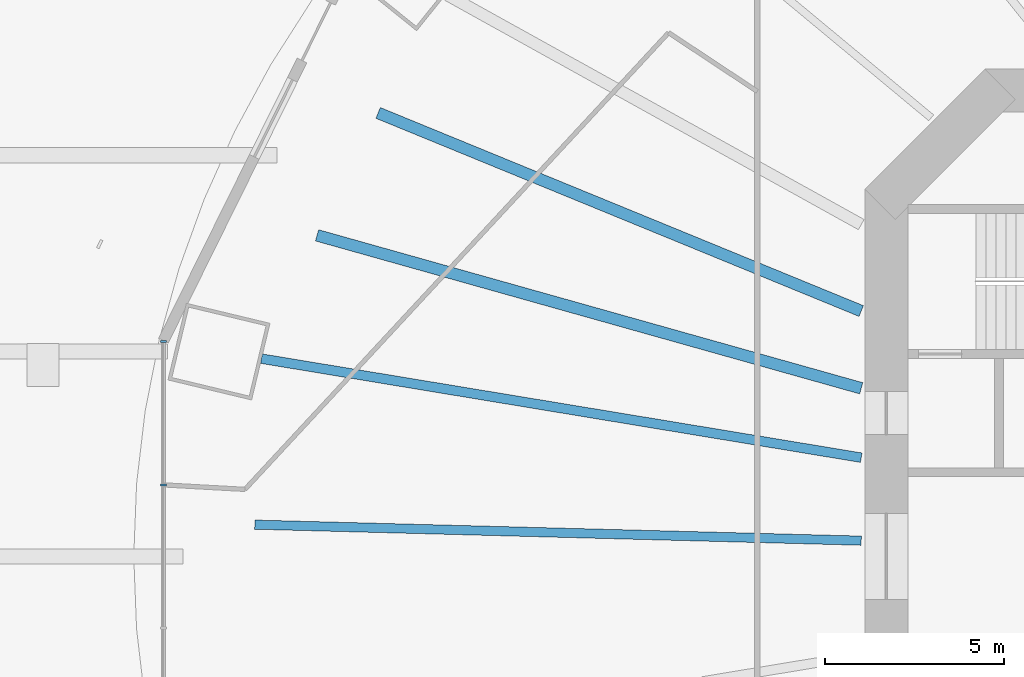
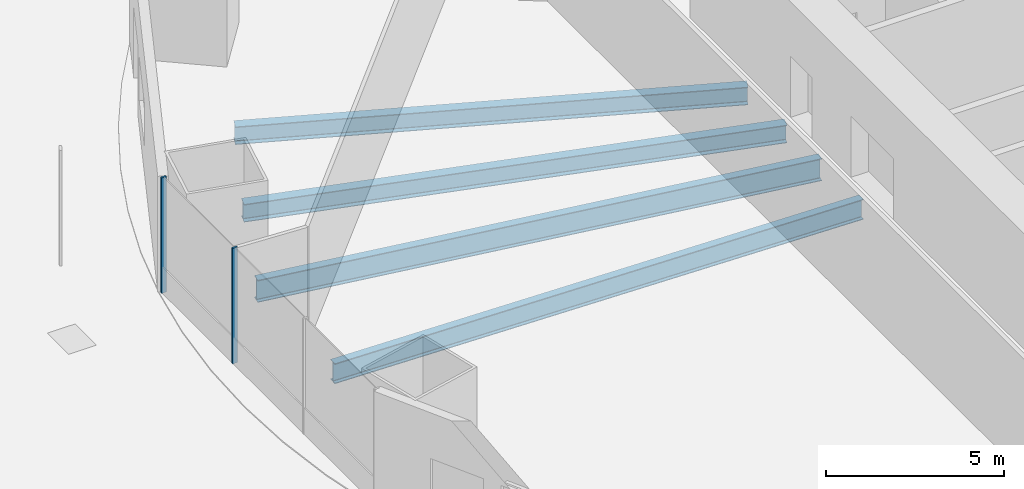
# One storey, part 7 of 27: 4 beams, 2 members, 1 element without a shape of its own.
"""IFC4 building model written with IfcOpenShell, lengths in metres."""

from ifc_helpers import new_model, si_unit, direction, frame, origin, origin_2d, place, context, subcontext, project, spatial, rectangle, i_section, extrude, material, material_profile, profile_set, type_object, element, aggregate, save


model = new_model("IFC4")

# Units and contexts
model_context = context("Model", 3, precision=1e-05, world=origin(), true_north=direction((0.0, 1.0)))
body_context = subcontext(model_context, "Body", "Model", "MODEL_VIEW")
ifc_project = project(units=[si_unit("LENGTHUNIT", "METRE"), si_unit("AREAUNIT", "SQUARE_METRE"), si_unit("VOLUMEUNIT", "CUBIC_METRE"), si_unit("PLANEANGLEUNIT", "RADIAN"), si_unit("MASSUNIT", "GRAM", prefix="KILO")], contexts=[model_context])

# Site, building, storey
site_placement = place(None, origin())
site = spatial("IfcSite", under=ifc_project, at=site_placement, CompositionType="ELEMENT")
building_placement = place(site_placement, origin())
building = spatial("IfcBuilding", under=site, at=building_placement, Name="Marenthal Gate Tower", CompositionType="ELEMENT")
storey_placement = place(building_placement, frame((0.0, 0.0, 33.0)))
storey = spatial("IfcBuildingStorey", under=building, at=storey_placement, Name="L04", CompositionType="ELEMENT", Elevation=33.0)

# Curtain wall, members
ifc_material_1 = material(Name="Aluminium and glass", Category="aluminium")
curtain_wall_type = type_object("IfcCurtainWallType", Name="Curtain wall typical low", PredefinedType="NOTDEFINED", material=ifc_material_1)
curtain_wall_placement = place(storey_placement, origin())
curtain_wall = element("IfcCurtainWall", 1, at=curtain_wall_placement, inside=storey, type_object=curtain_wall_type, Name="Curtain wall L04 bay 8", PredefinedType="NOTDEFINED")
ifc_material_2 = material(Name="Aluminium", Category="aluminium")
ifc_material_profile_1 = material_profile(ifc_material_2, rectangle(XDim=0.159912109375, YDim=0.06005859375, at=origin_2d()), Name="60x160 aluminium mullion")
ifc_profile_set_1 = profile_set([ifc_material_profile_1], Name="Aluminium")
member_type = type_object("IfcMemberType", Name="Mullion 60x160 typical low", PredefinedType="MULLION", material=ifc_profile_set_1)
member_1_placement = place(storey_placement, frame((-36.17138671875, 5.994384765625, 0.0), z_axis=(0.0, 0.0, 1.0), x_axis=(1.0, 0.0, 0.0)))
member_1 = element("IfcMember", 2, at=member_1_placement, type_object=member_type, Name="Mullion L04 bay 8.1", PredefinedType="MULLION", context=body_context, shape_type="SweptSolid", body=[
    extrude(rectangle(XDim=0.159912109375, YDim=0.06005859375, at=origin_2d()), origin(), (0.0, 0.0, 1.0), 3.969970703125),
])
member_2_placement = place(storey_placement, frame((-36.17138671875, 1.998046875, 0.0), z_axis=(0.0, 0.0, 1.0), x_axis=(1.0, 0.0, 0.0)))
member_2 = element("IfcMember", 3, at=member_2_placement, type_object=member_type, Name="Mullion L04 bay 8.2", PredefinedType="MULLION", context=body_context, shape_type="SweptSolid", body=[
    extrude(rectangle(XDim=0.159912109375, YDim=0.06005859375, at=origin_2d()), origin(), (0.0, 0.0, 1.0), 3.969970703125),
])
aggregate(curtain_wall, [member_1, member_2])

# Beams
ifc_material_3 = material(Name="Steel S355", Category="steel")
ifc_material_profile_2 = material_profile(ifc_material_3, i_section(OverallWidth=0.324951171875, OverallDepth=0.612060546875, WebThickness=0.0126953125, FlangeThickness=0.01904296875, FilletRadius=0.0126953125, at=origin_2d()), Name="W610X155")
ifc_profile_set_2 = profile_set([ifc_material_profile_2], Name="Steel S355")
beam_type_1 = type_object("IfcBeamType", Name="W610X155 beam", PredefinedType="BEAM", material=ifc_profile_set_2)
beam_1_placement = place(storey_placement, frame((-30.18017578125, 12.376953125, -0.486083984375), z_axis=(0.925223376973, -0.379422854746, 0.0), x_axis=(0.379422854746, 0.925223376973, 0.0)))
element("IfcBeam", 4, at=beam_1_placement, inside=storey, type_object=beam_type_1, Name="BM-L04-26", PredefinedType="BEAM", context=body_context, shape_type="SweptSolid", body=[
    extrude(i_section(OverallWidth=0.324951171875, OverallDepth=0.612060546875, WebThickness=0.0126953125, FlangeThickness=0.01904296875, FilletRadius=0.0126953125, at=origin_2d()), origin(), (0.0, 0.0, 1.0), 14.569580078125),
])
beam_2_placement = place(storey_placement, frame((-31.884521484375, 8.961181640625, -0.486083984375), z_axis=(0.962701855146, -0.27056448048, 0.0), x_axis=(0.27056448048, 0.962701855146, 0.0)))
element("IfcBeam", 5, at=beam_2_placement, inside=storey, type_object=beam_type_1, Name="BM-L04-27", PredefinedType="BEAM", context=body_context, shape_type="SweptSolid", body=[
    extrude(i_section(OverallWidth=0.324951171875, OverallDepth=0.612060546875, WebThickness=0.0126953125, FlangeThickness=0.01904296875, FilletRadius=0.0126953125, at=origin_2d()), origin(), (0.0, 0.0, 1.0), 15.77294921875),
])
ifc_material_4 = material(Name="Steel S355", Category="steel")
ifc_material_profile_3 = material_profile(ifc_material_4, i_section(OverallWidth=0.257080078125, OverallDepth=0.693115234375, WebThickness=0.014404296875, FlangeThickness=0.023681640625, FilletRadius=0.015380859375, at=origin_2d()), Name="W690X170")
ifc_profile_set_3 = profile_set([ifc_material_profile_3], Name="Steel S355")
beam_type_2 = type_object("IfcBeamType", Name="W690X170 beam", PredefinedType="BEAM", material=ifc_profile_set_3)
beam_3_placement = place(storey_placement, frame((-33.62158203125, 0.88818359375, -0.526611328125), z_axis=(0.999651249269, -0.026407950216, 0.0), x_axis=(0.026407950216, 0.999651249269, 0.0)))
element("IfcBeam", 6, at=beam_3_placement, inside=storey, type_object=beam_type_2, Name="BM-L04-28", PredefinedType="BEAM", context=body_context, shape_type="SweptSolid", body=[
    extrude(i_section(OverallWidth=0.257080078125, OverallDepth=0.693115234375, WebThickness=0.014404296875, FlangeThickness=0.023681640625, FilletRadius=0.015380859375, at=origin_2d()), origin(), (0.0, 0.0, 1.0), 16.927490234375),
])
ifc_material_5 = material(Name="Steel S355", Category="steel")
ifc_material_profile_4 = material_profile(ifc_material_5, i_section(OverallWidth=0.26708984375, OverallDepth=0.761962890625, WebThickness=0.014404296875, FlangeThickness=0.021484375, FilletRadius=0.0166015625, at=origin_2d()), Name="W760X173")
ifc_profile_set_4 = profile_set([ifc_material_profile_4], Name="Steel S355")
beam_type_3 = type_object("IfcBeamType", Name="W760X173 beam", PredefinedType="BEAM", material=ifc_profile_set_4)
beam_4_placement = place(storey_placement, frame((-33.434814453125, 5.52001953125, -0.56103515625), z_axis=(0.986643309881, -0.162895607883, 0.0), x_axis=(0.162895607883, 0.986643309881, 0.0)))
element("IfcBeam", 7, at=beam_4_placement, inside=storey, type_object=beam_type_3, Name="BM-L04-08", PredefinedType="BEAM", context=body_context, shape_type="SweptSolid", body=[
    extrude(i_section(OverallWidth=0.26708984375, OverallDepth=0.761962890625, WebThickness=0.014404296875, FlangeThickness=0.021484375, FilletRadius=0.0166015625, at=origin_2d()), origin(), (0.0, 0.0, 1.0), 16.96142578125),
])

save(model, "model.ifc")
